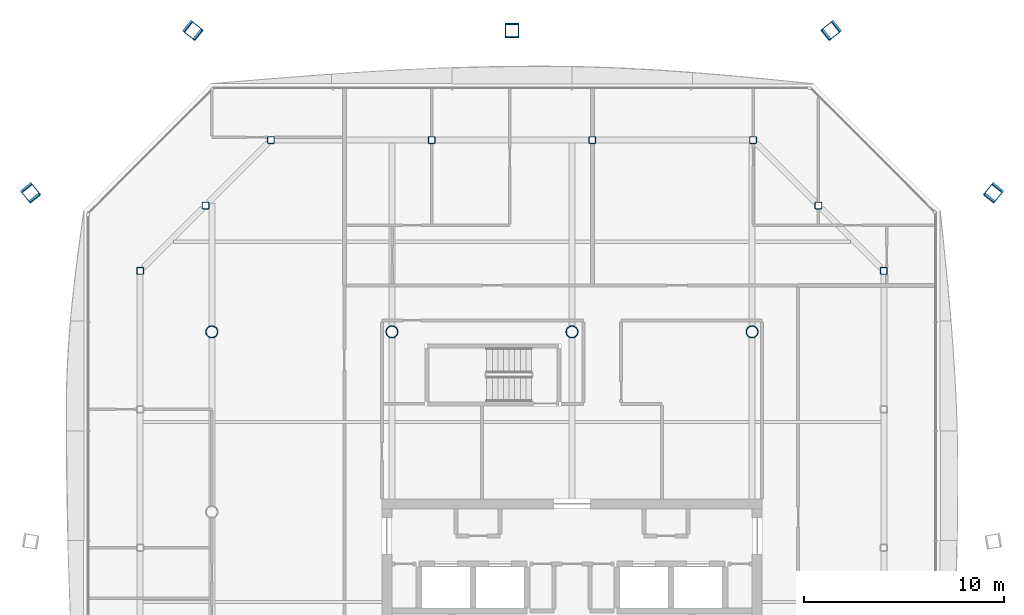
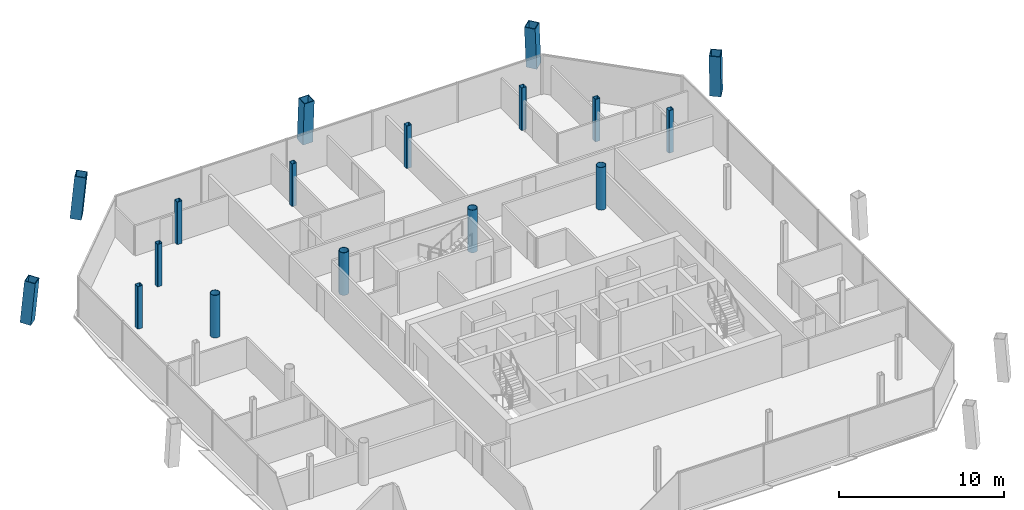
# One storey, part 3 of 20: 17 columns.
"""IFC4 building model written with IfcOpenShell, lengths in metres."""

from ifc_helpers import new_model, si_unit, direction, frame, origin, origin_2d, place, context, subcontext, project, spatial, hollow_rectangle, hollow_circle, extrude, material, material_profile, profile_set, type_object, element, save


model = new_model("IFC4")

# Units and contexts
model_context = context("Model", 3, precision=1e-05, world=origin(), true_north=direction((0.0, 1.0)))
body_context = subcontext(model_context, "Body", "Model", "MODEL_VIEW")
ifc_project = project(units=[si_unit("LENGTHUNIT", "METRE"), si_unit("AREAUNIT", "SQUARE_METRE"), si_unit("VOLUMEUNIT", "CUBIC_METRE"), si_unit("PLANEANGLEUNIT", "RADIAN"), si_unit("MASSUNIT", "GRAM", prefix="KILO")], contexts=[model_context])

# Site, building, storey
site_placement = place(None, origin())
site = spatial("IfcSite", under=ifc_project, at=site_placement, CompositionType="ELEMENT")
building_placement = place(site_placement, origin())
building = spatial("IfcBuilding", under=site, at=building_placement, Name="Tskaro Facet Tower", CompositionType="ELEMENT")
storey_placement = place(building_placement, frame((0.0, 0.0, 175.35009765625)))
storey = spatial("IfcBuildingStorey", under=building, at=storey_placement, Name="L43", CompositionType="ELEMENT", Elevation=175.35009765625)

# Columns
ifc_material_1 = material(Name="Steel S460M", Category="steel")
ifc_material_profile_1 = material_profile(ifc_material_1, hollow_rectangle(XDim=0.699951171875, YDim=0.699951171875, WallThickness=0.044921875, at=origin_2d()), Name="BOX 700x700x45")
ifc_profile_set_1 = profile_set([ifc_material_profile_1], Name="Steel S460M")
column_type_1 = type_object("IfcColumnType", Name="BOX 700x700x45 mega column", PredefinedType="COLUMN", material=ifc_profile_set_1)
for number, where, z_axis, x_axis, name in (
    (1, (21.093017578125, 15.989013671875, 0.0), (-0.057576471172, -0.0714689173, 0.995779666305), (0.778731084135, -0.627357871236, 0.0), "BOX 700x700x45 MC06/4"),
    (2, (12.989013671875, 24.093017578125, 0.0), (-0.0714689173, -0.057576471172, 0.995779666305), (0.627357871236, -0.778731084135, 0.0), "BOX 700x700x45 MC07/4"),
):
    element("IfcColumn", number, at=place(storey_placement, frame(where, z_axis=z_axis, x_axis=x_axis)), inside=storey, type_object=column_type_1, Name=name, PredefinedType="COLUMN", context=body_context, shape_type="SweptSolid", body=[
        extrude(hollow_rectangle(XDim=0.699951171875, YDim=0.699951171875, WallThickness=0.044921875, at=origin_2d()), origin(), (0.0, 0.0, 1.0), 3.163330078125),
    ])
column_placement = place(storey_placement, frame((-3.0, 24.093017578125, 0.0), z_axis=(0.0, -0.057724081614, 0.998332575048), x_axis=(1.0, 0.0, 0.0)))
element("IfcColumn", 3, at=column_placement, inside=storey, type_object=column_type_1, Name="BOX 700x700x45 MC08/4", PredefinedType="COLUMN", context=body_context, shape_type="SweptSolid", body=[
    extrude(hollow_rectangle(XDim=0.699951171875, YDim=0.699951171875, WallThickness=0.044921875, at=origin_2d()), origin(), (0.0, 0.0, 1.0), 3.1552734375),
])
for number, where, z_axis, x_axis, name in (
    (4, (-18.989013671875, 24.093017578125, 0.0), (0.0714689173, -0.057576471172, 0.995779666305), (0.627357871236, 0.778731084135, 0.0), "BOX 700x700x45 MC09/4"),
    (5, (-27.093017578125, 15.989013671875, 0.0), (0.057576471172, -0.0714689173, 0.995779666305), (0.778731084135, 0.627357871236, 0.0), "BOX 700x700x45 MC10/4"),
):
    element("IfcColumn", number, at=place(storey_placement, frame(where, z_axis=z_axis, x_axis=x_axis)), inside=storey, type_object=column_type_1, Name=name, PredefinedType="COLUMN", context=body_context, shape_type="SweptSolid", body=[
        extrude(hollow_rectangle(XDim=0.699951171875, YDim=0.699951171875, WallThickness=0.044921875, at=origin_2d()), origin(), (0.0, 0.0, 1.0), 3.163330078125),
    ])
ifc_material_2 = material(Name="Steel S355J2H", Category="steel")
ifc_material_profile_2 = material_profile(ifc_material_2, hollow_circle(Radius=0.304931640625, WallThickness=0.030029296875, at=origin_2d()), Name="CHS 610x30")
ifc_profile_set_2 = profile_set([ifc_material_profile_2], Name="Steel S355J2H")
column_type_2 = type_object("IfcColumnType", Name="CHS 610x30 interior column", PredefinedType="COLUMN", material=ifc_profile_set_2)
for number, where, z_axis, x_axis, name in (
    (6, (-18.0, 9.0, 0.0), (0.0, 0.0, 1.0), (1.0, 0.0, 0.0), "CHS 610x30 C2E/4"),
    (7, (-9.0, 9.0, 0.0), (0.0, 0.0, 1.0), (1.0, 0.0, 0.0), "CHS 610x30 C3E/4"),
    (8, (0.0, 9.0, 0.0), (0.0, 0.0, 1.0), (1.0, 0.0, 0.0), "CHS 610x30 C4E/4"),
    (9, (9.0, 9.0, 0.0), (0.0, 0.0, 1.0), (1.0, 0.0, 0.0), "CHS 610x30 C5E/4"),
):
    element("IfcColumn", number, at=place(storey_placement, frame(where, z_axis=z_axis, x_axis=x_axis)), inside=storey, type_object=column_type_2, Name=name, PredefinedType="COLUMN", context=body_context, shape_type="SweptSolid", body=[
        extrude(hollow_circle(Radius=0.304931640625, WallThickness=0.030029296875, at=origin_2d()), origin(), (0.0, 0.0, 1.0), 3.14990234375),
    ])
ifc_material_profile_3 = material_profile(ifc_material_2, hollow_rectangle(XDim=0.35009765625, YDim=0.35009765625, WallThickness=0.02001953125, InnerFilletRadius=0.030029296875, OuterFilletRadius=0.050048828125, at=origin_2d()), Name="SHS 350x350x20")
ifc_profile_set_3 = profile_set([ifc_material_profile_3], Name="Steel S355J2H")
column_type_3 = type_object("IfcColumnType", Name="SHS 350x350x20 ring column", PredefinedType="COLUMN", material=ifc_profile_set_3)
for number, where, z_axis, x_axis, name in (
    (10, (15.5830078125, 12.0458984375, 0.0), (0.0, 0.0, 1.0), (1.0, 0.0, 0.0), "SHS 350x350x20 RNE-1/4"),
    (11, (12.31396484375, 15.31396484375, 0.0), (0.0, 0.0, 1.0), (1.0, 0.0, 0.0), "SHS 350x350x20 RNE-2/4"),
    (12, (9.0458984375, 18.5830078125, 0.0), (0.0, 0.0, 1.0), (1.0, 0.0, 0.0), "SHS 350x350x20 RN-1/4"),
    (13, (1.014892578125, 18.5830078125, 0.0), (0.0, 0.0, 1.0), (1.0, 0.0, 0.0), "SHS 350x350x20 RN-2/4"),
    (14, (-7.014892578125, 18.5830078125, 0.0), (0.0, 0.0, 1.0), (1.0, 0.0, 0.0), "SHS 350x350x20 RN-3/4"),
    (15, (-15.0458984375, 18.5830078125, 0.0), (0.0, 0.0, 1.0), (1.0, 0.0, 0.0), "SHS 350x350x20 RNW-1/4"),
    (16, (-18.31396484375, 15.31396484375, 0.0), (0.0, 0.0, 1.0), (1.0, 0.0, 0.0), "SHS 350x350x20 RNW-2/4"),
    (17, (-21.5830078125, 12.0458984375, 0.0), (0.0, 0.0, 1.0), (1.0, 0.0, 0.0), "SHS 350x350x20 RW-1/4"),
):
    element("IfcColumn", number, at=place(storey_placement, frame(where, z_axis=z_axis, x_axis=x_axis)), inside=storey, type_object=column_type_3, Name=name, PredefinedType="COLUMN", context=body_context, shape_type="SweptSolid", body=[
        extrude(hollow_rectangle(XDim=0.35009765625, YDim=0.35009765625, WallThickness=0.02001953125, InnerFilletRadius=0.030029296875, OuterFilletRadius=0.050048828125, at=origin_2d()), origin(), (0.0, 0.0, 1.0), 3.14990234375),
    ])

save(model, "model.ifc")
